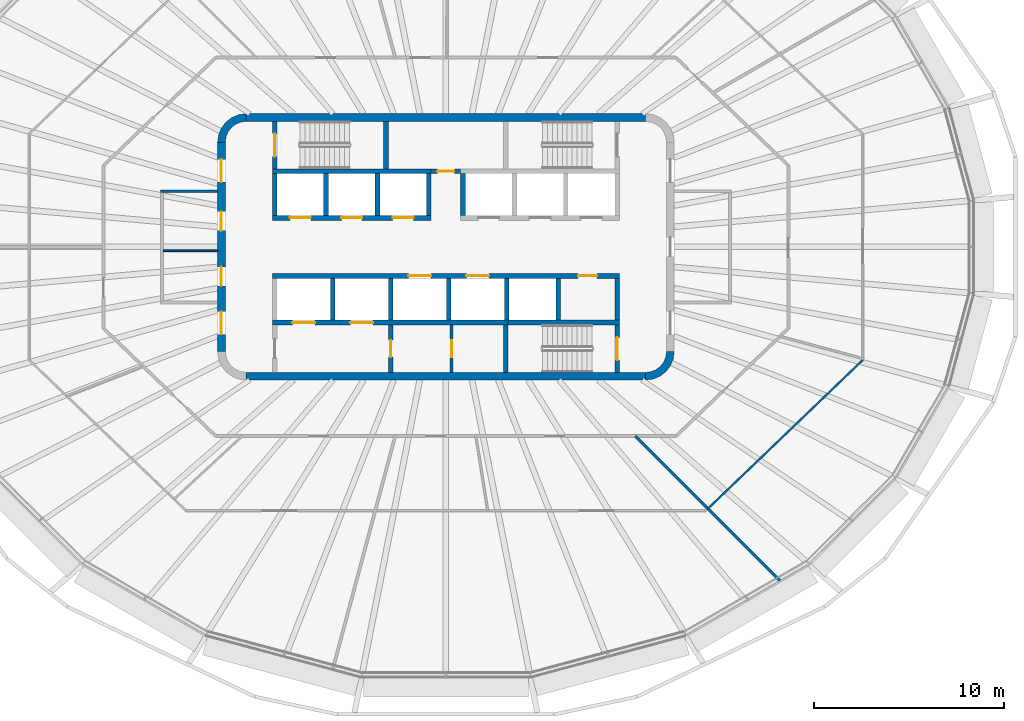
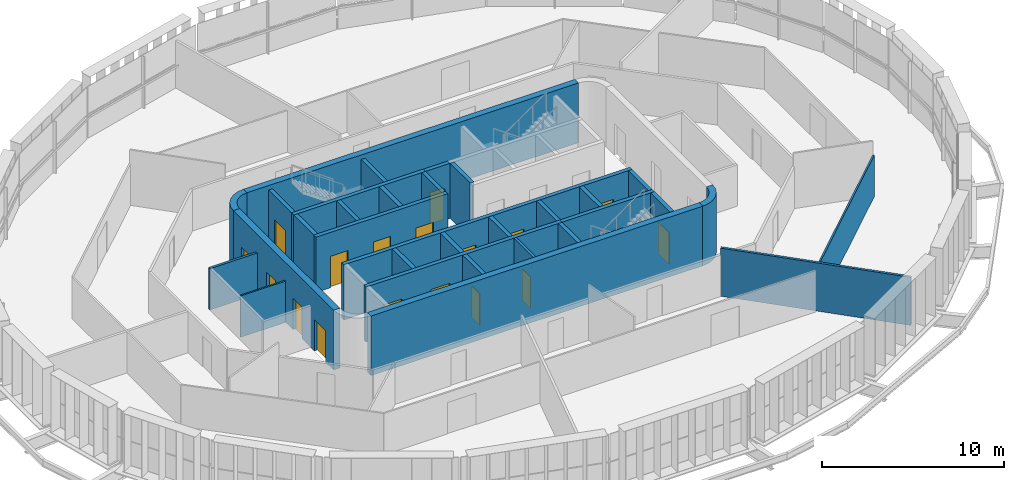
# One storey, part 10 of 18: 32 walls, 17 doors, 17 openings.
"""IFC4 building model written with IfcOpenShell, lengths in metres."""

import ifcopenshell
import ifcopenshell.guid

model = None  # the IFC model being written
_history = None  # IfcOwnerHistory: only IFC2X3 demands one
_inside = {}  # id of a spatial element -> (the spatial element, [elements in it])
_under = {}  # id of a project, library or spatial element -> (it, [spatial elements below it])
_declared = {}  # id of a project -> (the project, [libraries it declares])
_typed = {}  # id of a type object -> (the type object, [elements of that type])
_made_of = {}  # id of a material, layer set ... -> (it, [elements and type objects made of it])


def new_model(schema):
    """Start an empty IFC model of exactly this schema.

    Asked for "IFC4X3", IfcOpenShell would pick the latest addendum, in which some entities
    have other attributes; the version numbers below select the first issue.
    IFC2X3 requires an IfcOwnerHistory on every rooted entity: one is made here for all.
    """
    global model, _history
    if schema == "IFC4X3":
        model = ifcopenshell.file(schema_version=(4, 3, 0, 0))
    else:
        model = ifcopenshell.file(schema=schema)
    _inside.clear()
    _under.clear()
    _declared.clear()
    _typed.clear()
    _made_of.clear()
    _history = None
    if model.schema == "IFC2X3":
        org = make("IfcOrganization", Name="unknown")
        user = make(
            "IfcPersonAndOrganization",
            ThePerson=make("IfcPerson", FamilyName="unknown"),
            TheOrganization=org,
        )
        app = make(
            "IfcApplication",
            ApplicationDeveloper=org,
            Version="unknown",
            ApplicationFullName="unknown",
            ApplicationIdentifier="unknown",
        )
        _history = make(
            "IfcOwnerHistory",
            OwningUser=user,
            OwningApplication=app,
            ChangeAction="ADDED",
            CreationDate=0,
        )
    return model


def make(cls, **values):
    """One entity of the class cls with the attributes given. An attribute that is None is left unset."""
    return model.create_entity(
        cls, **{name: value for name, value in values.items() if value is not None}
    )


def rooted(cls, **values):
    """An entity with a GlobalId (a new one), such as an element, a storey or a relation."""
    return make(cls, GlobalId=ifcopenshell.guid.new(), OwnerHistory=_history, **values)


def si_unit(unit_type, name, prefix=None):
    """IfcSIUnit, for example si_unit("LENGTHUNIT", "METRE", prefix="MILLI")."""
    return make("IfcSIUnit", UnitType=unit_type, Prefix=prefix, Name=name)


def assignment(units):
    """IfcUnitAssignment: the units of a project."""
    return None if units is None else make("IfcUnitAssignment", Units=units)


def point(xyz):
    """IfcCartesianPoint."""
    return None if xyz is None else make("IfcCartesianPoint", Coordinates=xyz)


def direction(xyz):
    """IfcDirection."""
    return None if xyz is None else make("IfcDirection", DirectionRatios=xyz)


def frame(location, z_axis=None, x_axis=None):
    """IfcAxis2Placement3D, a coordinate frame: its origin and axes. An axis left out is left unset."""
    return make(
        "IfcAxis2Placement3D",
        Location=point(location),
        Axis=direction(z_axis),
        RefDirection=direction(x_axis),
    )


def frame_2d(location, x_axis=None):
    """IfcAxis2Placement2D, a coordinate frame in the plane: its origin and x axis."""
    return make(
        "IfcAxis2Placement2D", Location=point(location), RefDirection=direction(x_axis)
    )


def origin():
    """The frame at (0, 0, 0) with its axes left unset."""
    return frame((0.0, 0.0, 0.0))


def place(relative_to, where):
    """IfcLocalPlacement: puts the frame where relative to a parent placement (None: the world)."""
    return make(
        "IfcLocalPlacement", PlacementRelTo=relative_to, RelativePlacement=where
    )


def context(
    kind, dimensions, precision=None, world=None, true_north=None, identifier=None
):
    """IfcGeometricRepresentationContext, for example the 3D "Model" context."""
    return make(
        "IfcGeometricRepresentationContext",
        ContextIdentifier=identifier,
        ContextType=kind,
        CoordinateSpaceDimension=dimensions,
        Precision=precision,
        WorldCoordinateSystem=world,
        TrueNorth=true_north,
    )


def subcontext(parent, identifier, kind, view, scale=None):
    """IfcGeometricRepresentationSubContext, for example "Body" below "Model"."""
    return make(
        "IfcGeometricRepresentationSubContext",
        ContextIdentifier=identifier,
        ContextType=kind,
        ParentContext=parent,
        TargetScale=scale,
        TargetView=view,
    )


def project(units=None, contexts=None):
    """IfcProject with its units and contexts."""
    return rooted(
        "IfcProject",
        Name="project",
        RepresentationContexts=contexts,
        UnitsInContext=assignment(units),
    )


def spatial(cls, under=None, at=None, **own):
    """A site, building, storey or space (cls), placed at a placement, below another one or the project."""
    s = rooted(cls, ObjectPlacement=at, **own)
    if under is not None:
        _under.setdefault(under.id(), (under, []))[1].append(s)
    return s


def polyline(points):
    """IfcPolyline through the points."""
    return make("IfcPolyline", Points=[point(p) for p in points])


def profile(cls, at=None, kind="AREA", **sizes):
    """A parametric profile (cls). Its sizes go by their IFC names, for example OverallWidth=200.0."""
    return make(cls, ProfileType=kind, Position=at, **sizes)


def rectangle(**sizes):
    """IfcRectangleProfileDef."""
    return profile("IfcRectangleProfileDef", **sizes)


def outline(outer, holes=None, kind="AREA"):
    """IfcArbitraryClosedProfileDef: a profile drawn as a closed curve; with holes, ...WithVoids."""
    if holes is None:
        return make("IfcArbitraryClosedProfileDef", ProfileType=kind, OuterCurve=outer)
    return make(
        "IfcArbitraryProfileDefWithVoids",
        ProfileType=kind,
        OuterCurve=outer,
        InnerCurves=holes,
    )


def extrude(swept, where, along, depth):
    """IfcExtrudedAreaSolid: the profile swept, set in the frame where, extruded along a direction by depth."""
    return make(
        "IfcExtrudedAreaSolid",
        SweptArea=swept,
        Position=where,
        ExtrudedDirection=direction(along),
        Depth=depth,
    )


def shape(context_of_items, identifier, shape_type, items):
    """IfcShapeRepresentation: the items that make up one representation, for example the "Body"."""
    return make(
        "IfcShapeRepresentation",
        ContextOfItems=context_of_items,
        RepresentationIdentifier=identifier,
        RepresentationType=shape_type,
        Items=items,
    )


def material(Name=None, Category=None):
    """IfcMaterial."""
    return make("IfcMaterial", Name=Name, Category=Category)


def layer(
    of_material, thickness, ventilated=None, Name=None, Category=None, Priority=None
):
    """IfcMaterialLayer: one layer of a wall or slab, of a material (None: an air gap)."""
    return make(
        "IfcMaterialLayer",
        Material=of_material,
        LayerThickness=thickness,
        IsVentilated=ventilated,
        Name=Name,
        Category=Category,
        Priority=Priority,
    )


def layer_set(layers, Name=None):
    """IfcMaterialLayerSet."""
    return make("IfcMaterialLayerSet", MaterialLayers=layers, LayerSetName=Name)


def made_of(thing, what):
    """Note that an element or type object is made of a material, layer set ...; save() writes the relation."""
    if what is not None:
        _made_of.setdefault(what.id(), (what, []))[1].append(thing)
    return thing


def type_object(cls, material=None, **own):
    """A type object (cls), such as IfcWallType, which elements share."""
    return made_of(rooted(cls, **own), material)


def element(
    cls,
    number,
    at=None,
    inside=None,
    cuts=None,
    type_object=None,
    material=None,
    context=None,
    identifier="Body",
    shape_type=None,
    held_by="IfcProductDefinitionShape",
    body=None,
    shapes=None,
    **own,
):
    """One element of the class cls, such as IfcWall. Its Tag is "e" and its number.

    at: its placement. inside: the storey or other place that contains it. cuts: it is an
    opening in that element (IfcRelVoidsElement). A single representation is given by context,
    identifier, shape_type and body (its items); several are given by shapes. held_by: the class
    of the entity that holds the representations. save() writes the other relations.
    """
    e = rooted(cls, Tag="e%d" % number, ObjectPlacement=at, **own)
    if body is not None:
        shapes = [shape(context, identifier, shape_type, body)]
    if shapes is not None:
        e.Representation = make(held_by, Representations=shapes)
    if inside is not None:
        _inside.setdefault(inside.id(), (inside, []))[1].append(e)
    if cuts is not None:
        rooted(
            "IfcRelVoidsElement", RelatingBuildingElement=cuts, RelatedOpeningElement=e
        )
    if type_object is not None:
        _typed.setdefault(type_object.id(), (type_object, []))[1].append(e)
    return made_of(e, material)


def fill(opening, filler):
    """IfcRelFillsElement: the door or window that sits in an opening."""
    return rooted(
        "IfcRelFillsElement",
        RelatingOpeningElement=opening,
        RelatedBuildingElement=filler,
    )


def aggregate(whole, parts):
    """IfcRelAggregates: a whole, such as a stair, and the parts it consists of."""
    return rooted("IfcRelAggregates", RelatingObject=whole, RelatedObjects=parts)


def save(model, path):
    """Write the relations noted so far, then the file.

    IfcRelAggregates (storeys below a building ...), IfcRelContainedInSpatialStructure (elements
    in a storey), IfcRelDefinesByType, IfcRelAssociatesMaterial and IfcRelDeclares: one each for
    every whole, place, type object, material and project.
    """
    for whole, parts in _under.values():
        aggregate(whole, parts)
    for where, things in _inside.values():
        rooted(
            "IfcRelContainedInSpatialStructure",
            RelatedElements=things,
            RelatingStructure=where,
        )
    for kind, things in _typed.values():
        rooted("IfcRelDefinesByType", RelatedObjects=things, RelatingType=kind)
    for what, things in _made_of.values():
        rooted("IfcRelAssociatesMaterial", RelatedObjects=things, RelatingMaterial=what)
    for by, libraries in _declared.values():
        rooted("IfcRelDeclares", RelatingContext=by, RelatedDefinitions=libraries)
    model.write(path)


model = new_model("IFC4")

# Units and contexts
model_context = context("Model", 3, precision=1e-05, world=origin(), true_north=direction((0.0, 1.0)))
body_context = subcontext(model_context, "Body", "Model", "MODEL_VIEW")
ifc_project = project(units=[si_unit("LENGTHUNIT", "METRE"), si_unit("AREAUNIT", "SQUARE_METRE"), si_unit("VOLUMEUNIT", "CUBIC_METRE"), si_unit("PLANEANGLEUNIT", "RADIAN"), si_unit("MASSUNIT", "GRAM", prefix="KILO")], contexts=[model_context])

# Site, building, storey
site_placement = place(None, origin())
site = spatial("IfcSite", under=ifc_project, at=site_placement, CompositionType="ELEMENT")
building_placement = place(site_placement, origin())
building = spatial("IfcBuilding", under=site, at=building_placement, Name="Sahrelin Media Tower", CompositionType="ELEMENT")
storey_placement = place(building_placement, frame((0.0, 0.0, 295.0)))
storey = spatial("IfcBuildingStorey", under=building, at=storey_placement, Name="L65", CompositionType="ELEMENT", Elevation=295.0)

# Walls
ifc_material_1 = material(Name="Concrete C60/75", Category="concrete")
ifc_layer_1 = layer(ifc_material_1, 0.39990234375)
ifc_layer_set_1 = layer_set([ifc_layer_1], Name="Core wall 400")
wall_type_1 = type_object("IfcWallType", Name="Core wall 400", PredefinedType="SHEAR", material=ifc_layer_set_1)
for number, where, z_axis, x_axis, name in (
    (1, (-10.5, 6.800048828125, 0.0), (0.0, 0.0, 1.0), (1.0, 0.0, 0.0), "Core wall N L65"),
    (2, (-10.5, -6.800048828125, 0.0), (0.0, 0.0, 1.0), (1.0, 0.0, 0.0), "Core wall S L65"),
):
    element("IfcWall", number, at=place(storey_placement, frame(where, z_axis=z_axis, x_axis=x_axis)), inside=storey, type_object=wall_type_1, Name=name, PredefinedType="SHEAR", context=body_context, shape_type="SweptSolid", body=[
        extrude(rectangle(XDim=21.0, YDim=0.39990234375, at=frame_2d((10.5, 0.0))), origin(), (0.0, 0.0, 1.0), 4.0),
    ])

# Wall, openings, doors
wall_1_placement = place(storey_placement, frame((-11.800048828125, -5.5, 0.0), z_axis=(0.0, 0.0, 1.0), x_axis=(0.0, 1.0, 0.0)))
wall_1 = element("IfcWall", 3, at=wall_1_placement, inside=storey, type_object=wall_type_1, Name="Core wall W L65", PredefinedType="SHEAR", context=body_context, shape_type="SweptSolid", body=[
    extrude(rectangle(XDim=11.0, YDim=0.39990234375, at=frame_2d((5.5, 0.0))), origin(), (0.0, 0.0, 1.0), 4.0),
])
opening_1_placement = place(wall_1_placement, frame((3.449951171875, 0.0, 0.0)))
opening_1 = element("IfcOpeningElement", 4, at=opening_1_placement, cuts=wall_1, Name="Opening L65-D09", PredefinedType="OPENING", context=body_context, shape_type="SweptSolid", body=[
    extrude(rectangle(XDim=1.0, YDim=2.10009765625, at=frame_2d((0.5, 1.050048828125))), frame((0.0, 0.199951171875, 0.0), z_axis=(0.0, -1.0, 0.0), x_axis=(1.0, 0.0, 0.0)), (0.0, 0.0, 1.0), 0.39990234375),
])
opening_2_placement = place(wall_1_placement, frame((6.35009765625, 0.0, 0.0)))
opening_2 = element("IfcOpeningElement", 5, at=opening_2_placement, cuts=wall_1, Name="Opening L65-D10", PredefinedType="OPENING", context=body_context, shape_type="SweptSolid", body=[
    extrude(rectangle(XDim=1.0, YDim=2.10009765625, at=frame_2d((0.5, 1.050048828125))), frame((0.0, 0.199951171875, 0.0), z_axis=(0.0, -1.0, 0.0), x_axis=(1.0, 0.0, 0.0)), (0.0, 0.0, 1.0), 0.39990234375),
])
opening_3_placement = place(wall_1_placement, frame((0.89990234375, 0.0, 0.0)))
opening_3 = element("IfcOpeningElement", 6, at=opening_3_placement, cuts=wall_1, Name="Opening L65-D12", PredefinedType="OPENING", context=body_context, shape_type="SweptSolid", body=[
    extrude(rectangle(XDim=1.199951171875, YDim=2.10009765625, at=frame_2d((0.60009765625, 1.050048828125))), frame((0.0, 0.199951171875, 0.0), z_axis=(0.0, -1.0, 0.0), x_axis=(1.0, 0.0, 0.0)), (0.0, 0.0, 1.0), 0.39990234375),
])
opening_4_placement = place(wall_1_placement, frame((8.89990234375, 0.0, 0.0)))
opening_4 = element("IfcOpeningElement", 7, at=opening_4_placement, cuts=wall_1, Name="Opening L65-D13", PredefinedType="OPENING", context=body_context, shape_type="SweptSolid", body=[
    extrude(rectangle(XDim=1.199951171875, YDim=2.10009765625, at=frame_2d((0.60009765625, 1.050048828125))), frame((0.0, 0.199951171875, 0.0), z_axis=(0.0, -1.0, 0.0), x_axis=(1.0, 0.0, 0.0)), (0.0, 0.0, 1.0), 0.39990234375),
])
ifc_material_2 = material(Name="Steel fire door leaf", Category="steel")
door_type_1 = type_object("IfcDoorType", Name="Fire door 1000 x 2100 EI 60", OperationType="NOTDEFINED", PredefinedType="DOOR", material=ifc_material_2)
door_1_placement = place(opening_1_placement, origin())
door_1 = element("IfcDoor", 8, at=door_1_placement, inside=storey, type_object=door_type_1, Name="Core room door", OperationType="SINGLE_SWING_RIGHT", OverallHeight=2.10009765625, OverallWidth=1.0, PredefinedType="DOOR", context=body_context, shape_type="SweptSolid", body=[
    extrude(rectangle(XDim=1.0, YDim=2.10009765625, at=frame_2d((0.5, 1.050048828125))), frame((0.0, 0.02490234375, 0.0), z_axis=(0.0, -1.0, 0.0), x_axis=(1.0, 0.0, 0.0)), (0.0, 0.0, 1.0), 0.050048828125),
])
fill(opening_1, door_1)
door_2_placement = place(opening_2_placement, origin())
door_2 = element("IfcDoor", 9, at=door_2_placement, inside=storey, type_object=door_type_1, Name="Core room door", OperationType="SINGLE_SWING_RIGHT", OverallHeight=2.10009765625, OverallWidth=1.0, PredefinedType="DOOR", context=body_context, shape_type="SweptSolid", body=[
    extrude(rectangle(XDim=1.0, YDim=2.10009765625, at=frame_2d((0.5, 1.050048828125))), frame((0.0, 0.02490234375, 0.0), z_axis=(0.0, -1.0, 0.0), x_axis=(1.0, 0.0, 0.0)), (0.0, 0.0, 1.0), 0.050048828125),
])
fill(opening_2, door_2)
door_type_2 = type_object("IfcDoorType", Name="Lobby door 1200 x 2100 EI 60", OperationType="NOTDEFINED", PredefinedType="DOOR", material=ifc_material_2)
door_3_placement = place(opening_3_placement, origin())
door_3 = element("IfcDoor", 10, at=door_3_placement, inside=storey, type_object=door_type_2, Name="Lobby door", OperationType="SINGLE_SWING_LEFT", OverallHeight=2.10009765625, OverallWidth=1.199951171875, PredefinedType="DOOR", context=body_context, shape_type="SweptSolid", body=[
    extrude(rectangle(XDim=1.199951171875, YDim=2.10009765625, at=frame_2d((0.60009765625, 1.050048828125))), frame((0.0, 0.02490234375, 0.0), z_axis=(0.0, -1.0, 0.0), x_axis=(1.0, 0.0, 0.0)), (0.0, 0.0, 1.0), 0.050048828125),
])
fill(opening_3, door_3)
door_4_placement = place(opening_4_placement, origin())
door_4 = element("IfcDoor", 11, at=door_4_placement, inside=storey, type_object=door_type_2, Name="Lobby door", OperationType="SINGLE_SWING_LEFT", OverallHeight=2.10009765625, OverallWidth=1.199951171875, PredefinedType="DOOR", context=body_context, shape_type="SweptSolid", body=[
    extrude(rectangle(XDim=1.199951171875, YDim=2.10009765625, at=frame_2d((0.60009765625, 1.050048828125))), frame((0.0, 0.02490234375, 0.0), z_axis=(0.0, -1.0, 0.0), x_axis=(1.0, 0.0, 0.0)), (0.0, 0.0, 1.0), 0.050048828125),
])
fill(opening_4, door_4)

# Walls
placement = place(storey_placement, origin())
element("IfcWall", 12, at=placement, inside=storey, type_object=wall_type_1, Name="Core wall corner NW L65", PredefinedType="SHEAR", context=body_context, shape_type="SweptSolid", body=[
    extrude(outline(polyline([(-12.0, 5.5), (-11.596435546875, 5.5), (-11.55908203125, 5.78369140625), (-11.44970703125, 6.04833984375), (-11.275390625, 6.275390625), (-11.04833984375, 6.44970703125), (-10.78369140625, 6.55908203125), (-10.5, 6.596435546875), (-10.5, 7.0), (-10.88818359375, 6.948974609375), (-11.25, 6.799072265625), (-11.560791015625, 6.560791015625), (-11.799072265625, 6.25), (-11.948974609375, 5.88818359375), (-12.0, 5.5)])), origin(), (0.0, 0.0, 1.0), 4.0),
])
element("IfcWall", 13, at=placement, inside=storey, type_object=wall_type_1, Name="Core wall corner SE L65", PredefinedType="SHEAR", context=body_context, shape_type="SweptSolid", body=[
    extrude(outline(polyline([(12.0, -5.5), (11.596435546875, -5.5), (11.55908203125, -5.78369140625), (11.44970703125, -6.04833984375), (11.275390625, -6.275390625), (11.04833984375, -6.44970703125), (10.78369140625, -6.55908203125), (10.5, -6.596435546875), (10.5, -7.0), (10.88818359375, -6.948974609375), (11.25, -6.799072265625), (11.560791015625, -6.560791015625), (11.799072265625, -6.25), (11.948974609375, -5.88818359375), (12.0, -5.5)])), origin(), (0.0, 0.0, 1.0), 4.0),
])

# Wall, opening, door
ifc_material_3 = material(Name="Fire-rated gypsum board partition")
ifc_layer_2 = layer(ifc_material_3, 0.25)
ifc_layer_set_2 = layer_set([ifc_layer_2], Name="Fire-rated lobby wall 250")
wall_type_2 = type_object("IfcWallType", Name="Fire-rated lobby wall 250", PredefinedType="PARTITIONING", material=ifc_layer_set_2)
wall_4_placement = place(storey_placement, frame((-0.77490234375, 3.97509765625, 0.0), z_axis=(0.0, 0.0, 1.0), x_axis=(1.0, 0.0, 0.0)))
wall_4 = element("IfcWall", 14, at=wall_4_placement, inside=storey, type_object=wall_type_2, Name="Core lobby wall", PredefinedType="PARTITIONING", context=body_context, shape_type="SweptSolid", body=[
    extrude(rectangle(XDim=1.5498046875, YDim=0.25, at=frame_2d((0.77490234375, 0.0))), origin(), (0.0, 0.0, 1.0), 3.699951171875),
])
opening_5_placement = place(wall_4_placement, frame((0.324951171875, 0.0, 0.0)))
opening_5 = element("IfcOpeningElement", 15, at=opening_5_placement, cuts=wall_4, Name="Opening L65-D06", PredefinedType="OPENING", context=body_context, shape_type="SweptSolid", body=[
    extrude(rectangle(XDim=0.89990234375, YDim=2.10009765625, at=frame_2d((0.449951171875, 1.050048828125))), frame((0.0, 0.125, 0.0), z_axis=(0.0, -1.0, 0.0), x_axis=(1.0, 0.0, 0.0)), (0.0, 0.0, 1.0), 0.25),
])
door_type_3 = type_object("IfcDoorType", Name="Riser door 900 x 2100 EI 120", OperationType="NOTDEFINED", PredefinedType="DOOR", material=ifc_material_2)
door_5_placement = place(opening_5_placement, origin())
door_5 = element("IfcDoor", 16, at=door_5_placement, inside=storey, type_object=door_type_3, Name="Core room door", OperationType="SINGLE_SWING_LEFT", OverallHeight=2.10009765625, OverallWidth=0.89990234375, PredefinedType="DOOR", context=body_context, shape_type="SweptSolid", body=[
    extrude(rectangle(XDim=0.89990234375, YDim=2.10009765625, at=frame_2d((0.449951171875, 1.050048828125))), frame((0.0, 0.02490234375, 0.0), z_axis=(0.0, -1.0, 0.0), x_axis=(1.0, 0.0, 0.0)), (0.0, 0.0, 1.0), 0.050048828125),
])
fill(opening_5, door_5)

# Wall
ifc_layer_3 = layer(ifc_material_3, 0.10009765625)
ifc_layer_set_3 = layer_set([ifc_layer_3], Name="Fire-rated partition 100")
wall_type_3 = type_object("IfcWallType", Name="Fire-rated partition 100", PredefinedType="PARTITIONING", material=ifc_layer_set_3)
wall_5_placement = place(storey_placement, frame((-14.85009765625, -0.199951171875, 0.0), z_axis=(0.0, 0.0, 1.0), x_axis=(1.0, 0.0, 0.0)))
element("IfcWall", 17, at=wall_5_placement, inside=storey, type_object=wall_type_3, Name="Core room partition", PredefinedType="PARTITIONING", context=body_context, shape_type="SweptSolid", body=[
    extrude(rectangle(XDim=2.85009765625, YDim=0.10009765625, at=frame_2d((1.425048828125, 0.0))), origin(), (0.0, 0.0, 1.0), 2.768310546875),
])

# Wall, opening, door
ifc_layer_4 = layer(ifc_material_3, 0.14990234375)
ifc_layer_set_4 = layer_set([ifc_layer_4], Name="Fire-rated partition 150")
wall_type_4 = type_object("IfcWallType", Name="Fire-rated partition 150", PredefinedType="PARTITIONING", material=ifc_layer_set_4)
wall_6_placement = place(storey_placement, frame((0.300048828125, -6.60009765625, 0.0), z_axis=(0.0, 0.0, 1.0), x_axis=(0.0, 1.0, 0.0)))
wall_6 = element("IfcWall", 18, at=wall_6_placement, inside=storey, type_object=wall_type_4, Name="Core room fire partition", PredefinedType="PARTITIONING", context=body_context, shape_type="SweptSolid", body=[
    extrude(rectangle(XDim=2.5, YDim=0.14990234375, at=frame_2d((1.25, 0.0))), origin(), (0.0, 0.0, 1.0), 3.699951171875),
])
opening_6_placement = place(wall_6_placement, frame((0.800048828125, 0.0, 0.0)))
opening_6 = element("IfcOpeningElement", 19, at=opening_6_placement, cuts=wall_6, Name="Opening L65-D07", PredefinedType="OPENING", context=body_context, shape_type="SweptSolid", body=[
    extrude(rectangle(XDim=0.89990234375, YDim=2.10009765625, at=frame_2d((0.449951171875, 1.050048828125))), frame((0.0, 0.074951171875, 0.0), z_axis=(0.0, -1.0, 0.0), x_axis=(1.0, 0.0, 0.0)), (0.0, 0.0, 1.0), 0.14990234375),
])
door_type_4 = type_object("IfcDoorType", Name="Fire door 900 x 2100 EI 60", OperationType="NOTDEFINED", PredefinedType="DOOR", material=ifc_material_2)
door_6_placement = place(opening_6_placement, origin())
door_6 = element("IfcDoor", 20, at=door_6_placement, inside=storey, type_object=door_type_4, Name="Core room door", OperationType="SINGLE_SWING_RIGHT", OverallHeight=2.10009765625, OverallWidth=0.89990234375, PredefinedType="DOOR", context=body_context, shape_type="SweptSolid", body=[
    extrude(rectangle(XDim=0.89990234375, YDim=2.10009765625, at=frame_2d((0.449951171875, 1.050048828125))), frame((0.0, 0.02490234375, 0.0), z_axis=(0.0, -1.0, 0.0), x_axis=(1.0, 0.0, 0.0)), (0.0, 0.0, 1.0), 0.050048828125),
])
fill(opening_6, door_6)

# Walls
wall_7_placement = place(storey_placement, frame((-15.0, 2.925048828125, 0.0), z_axis=(0.0, 0.0, 1.0), x_axis=(1.0, 0.0, 0.0)))
element("IfcWall", 21, at=wall_7_placement, inside=storey, type_object=wall_type_4, Name="Core room fire partition", PredefinedType="PARTITIONING", context=body_context, shape_type="SweptSolid", body=[
    extrude(rectangle(XDim=3.0, YDim=0.14990234375, at=frame_2d((1.5, 0.0))), origin(), (0.0, 0.0, 1.0), 2.768310546875),
])
wall_8_placement = place(storey_placement, frame((9.948974609375, -9.948974609375, 0.0), z_axis=(0.0, 0.0, 1.0), x_axis=(0.707106781187, -0.707106781187, 0.0)))
element("IfcWall", 22, at=wall_8_placement, inside=storey, type_object=wall_type_4, Name="Wall", PredefinedType="PARTITIONING", context=body_context, shape_type="SweptSolid", body=[
    extrude(rectangle(XDim=10.796142578125, YDim=0.14990234375, at=frame_2d((5.39794921875, 0.0))), origin(), (0.0, 0.0, 1.0), 3.222900390625),
])

# Wall, opening, door
ifc_layer_5 = layer(ifc_material_3, 0.25)
ifc_layer_set_5 = layer_set([ifc_layer_5], Name="Firefighting lobby wall 250")
wall_type_5 = type_object("IfcWallType", Name="Firefighting lobby wall 250", PredefinedType="PARTITIONING", material=ifc_layer_set_5)
wall_9_placement = place(storey_placement, frame((-2.89990234375, -6.60009765625, 0.0), z_axis=(0.0, 0.0, 1.0), x_axis=(0.0, 1.0, 0.0)))
wall_9 = element("IfcWall", 23, at=wall_9_placement, inside=storey, type_object=wall_type_5, Name="Core wall", PredefinedType="PARTITIONING", context=body_context, shape_type="SweptSolid", body=[
    extrude(rectangle(XDim=2.5, YDim=0.25, at=frame_2d((1.25, 0.0))), origin(), (0.0, 0.0, 1.0), 3.699951171875),
])
opening_7_placement = place(wall_9_placement, frame((0.800048828125, 0.0, 0.0)))
opening_7 = element("IfcOpeningElement", 24, at=opening_7_placement, cuts=wall_9, Name="Opening L65-D05", PredefinedType="OPENING", context=body_context, shape_type="SweptSolid", body=[
    extrude(rectangle(XDim=0.89990234375, YDim=2.10009765625, at=frame_2d((0.449951171875, 1.050048828125))), frame((0.0, 0.125, 0.0), z_axis=(0.0, -1.0, 0.0), x_axis=(1.0, 0.0, 0.0)), (0.0, 0.0, 1.0), 0.25),
])
door_type_5 = type_object("IfcDoorType", Name="Firefighting lobby door 900 x 2100 EI 120", OperationType="NOTDEFINED", PredefinedType="DOOR", material=ifc_material_2)
door_7_placement = place(opening_7_placement, origin())
door_7 = element("IfcDoor", 25, at=door_7_placement, inside=storey, type_object=door_type_5, Name="Riser door", OperationType="SINGLE_SWING_RIGHT", OverallHeight=2.10009765625, OverallWidth=0.89990234375, PredefinedType="DOOR", context=body_context, shape_type="SweptSolid", body=[
    extrude(rectangle(XDim=0.89990234375, YDim=2.10009765625, at=frame_2d((0.449951171875, 1.050048828125))), frame((0.0, 0.02490234375, 0.0), z_axis=(0.0, -1.0, 0.0), x_axis=(1.0, 0.0, 0.0)), (0.0, 0.0, 1.0), 0.050048828125),
])
fill(opening_7, door_7)

# Wall, openings, doors
ifc_layer_6 = layer(ifc_material_1, 0.25)
ifc_layer_set_6 = layer_set([ifc_layer_6], Name="Lift shaft wall 250")
wall_type_6 = type_object("IfcWallType", Name="Lift shaft wall 250", PredefinedType="SOLIDWALL", material=ifc_layer_set_6)
wall_10_placement = place(storey_placement, frame((-9.125, 1.52490234375, 0.0), z_axis=(0.0, 0.0, 1.0), x_axis=(1.0, 0.0, 0.0)))
wall_10 = element("IfcWall", 26, at=wall_10_placement, inside=storey, type_object=wall_type_6, Name="Lift shaft wall", PredefinedType="SOLIDWALL", context=body_context, shape_type="SweptSolid", body=[
    extrude(rectangle(XDim=8.35009765625, YDim=0.25, at=frame_2d((4.175048828125, 0.0))), origin(), (0.0, 0.0, 1.0), 3.699951171875),
])
opening_8_placement = place(wall_10_placement, frame((0.925048828125, 0.0, 0.0)))
opening_8 = element("IfcOpeningElement", 27, at=opening_8_placement, cuts=wall_10, Name="Opening L65-LD-HR1", PredefinedType="OPENING", context=body_context, shape_type="SweptSolid", body=[
    extrude(rectangle(XDim=1.10009765625, YDim=2.10009765625, at=frame_2d((0.550048828125, 1.050048828125))), frame((0.0, 0.125, 0.0), z_axis=(0.0, -1.0, 0.0), x_axis=(1.0, 0.0, 0.0)), (0.0, 0.0, 1.0), 0.25),
])
opening_9_placement = place(wall_10_placement, frame((3.625, 0.0, 0.0)))
opening_9 = element("IfcOpeningElement", 28, at=opening_9_placement, cuts=wall_10, Name="Opening L65-LD-HR2", PredefinedType="OPENING", context=body_context, shape_type="SweptSolid", body=[
    extrude(rectangle(XDim=1.10009765625, YDim=2.10009765625, at=frame_2d((0.550048828125, 1.050048828125))), frame((0.0, 0.125, 0.0), z_axis=(0.0, -1.0, 0.0), x_axis=(1.0, 0.0, 0.0)), (0.0, 0.0, 1.0), 0.25),
])
opening_10_placement = place(wall_10_placement, frame((6.324951171875, 0.0, 0.0)))
opening_10 = element("IfcOpeningElement", 29, at=opening_10_placement, cuts=wall_10, Name="Opening L65-LD-HR3", PredefinedType="OPENING", context=body_context, shape_type="SweptSolid", body=[
    extrude(rectangle(XDim=1.10009765625, YDim=2.10009765625, at=frame_2d((0.550048828125, 1.050048828125))), frame((0.0, 0.125, 0.0), z_axis=(0.0, -1.0, 0.0), x_axis=(1.0, 0.0, 0.0)), (0.0, 0.0, 1.0), 0.25),
])
ifc_material_4 = material(Name="Stainless steel", Category="steel")
door_type_6 = type_object("IfcDoorType", Name="Lift landing door 1100 x 2100 EI 120", OperationType="DOUBLE_DOOR_SLIDING", PredefinedType="DOOR", material=ifc_material_4)
door_8_placement = place(opening_8_placement, origin())
door_8 = element("IfcDoor", 30, at=door_8_placement, inside=storey, type_object=door_type_6, Name="Lift landing door HR1", OperationType="DOUBLE_DOOR_SLIDING", OverallHeight=2.10009765625, OverallWidth=1.10009765625, PredefinedType="DOOR", context=body_context, shape_type="SweptSolid", body=[
    extrude(rectangle(XDim=1.10009765625, YDim=2.10009765625, at=frame_2d((0.550048828125, 1.050048828125))), frame((0.0, 0.02490234375, 0.0), z_axis=(0.0, -1.0, 0.0), x_axis=(1.0, 0.0, 0.0)), (0.0, 0.0, 1.0), 0.050048828125),
])
fill(opening_8, door_8)
door_9_placement = place(opening_9_placement, origin())
door_9 = element("IfcDoor", 31, at=door_9_placement, inside=storey, type_object=door_type_6, Name="Lift landing door HR2", OperationType="DOUBLE_DOOR_SLIDING", OverallHeight=2.10009765625, OverallWidth=1.10009765625, PredefinedType="DOOR", context=body_context, shape_type="SweptSolid", body=[
    extrude(rectangle(XDim=1.10009765625, YDim=2.10009765625, at=frame_2d((0.550048828125, 1.050048828125))), frame((0.0, 0.02490234375, 0.0), z_axis=(0.0, -1.0, 0.0), x_axis=(1.0, 0.0, 0.0)), (0.0, 0.0, 1.0), 0.050048828125),
])
fill(opening_9, door_9)
door_10_placement = place(opening_10_placement, origin())
door_10 = element("IfcDoor", 32, at=door_10_placement, inside=storey, type_object=door_type_6, Name="Lift landing door HR3", OperationType="DOUBLE_DOOR_SLIDING", OverallHeight=2.10009765625, OverallWidth=1.10009765625, PredefinedType="DOOR", context=body_context, shape_type="SweptSolid", body=[
    extrude(rectangle(XDim=1.10009765625, YDim=2.10009765625, at=frame_2d((0.550048828125, 1.050048828125))), frame((0.0, 0.02490234375, 0.0), z_axis=(0.0, -1.0, 0.0), x_axis=(1.0, 0.0, 0.0)), (0.0, 0.0, 1.0), 0.050048828125),
])
fill(opening_10, door_10)

# Walls
wall_11_placement = place(storey_placement, frame((-9.125, 3.97509765625, 0.0), z_axis=(0.0, 0.0, 1.0), x_axis=(1.0, 0.0, 0.0)))
element("IfcWall", 33, at=wall_11_placement, inside=storey, type_object=wall_type_6, Name="Lift shaft wall", PredefinedType="SOLIDWALL", context=body_context, shape_type="SweptSolid", body=[
    extrude(rectangle(XDim=8.35009765625, YDim=0.25, at=frame_2d((4.175048828125, 0.0))), origin(), (0.0, 0.0, 1.0), 3.699951171875),
])
for number, where, z_axis, x_axis, name in (
    (34, (-9.0, 1.64990234375, 0.0), (0.0, 0.0, 1.0), (0.0, 1.0, 0.0), "Lift shaft wall"),
    (35, (-6.300048828125, 1.64990234375, 0.0), (0.0, 0.0, 1.0), (0.0, 1.0, 0.0), "Lift shaft wall"),
    (36, (-3.60009765625, 1.64990234375, 0.0), (0.0, 0.0, 1.0), (0.0, 1.0, 0.0), "Lift shaft wall"),
    (37, (-0.89990234375, 1.64990234375, 0.0), (0.0, 0.0, 1.0), (0.0, 1.0, 0.0), "Lift shaft wall"),
    (38, (0.89990234375, 1.64990234375, 0.0), (0.0, 0.0, 1.0), (0.0, 1.0, 0.0), "Lift shaft wall"),
):
    element("IfcWall", number, at=place(storey_placement, frame(where, z_axis=z_axis, x_axis=x_axis)), inside=storey, type_object=wall_type_6, Name=name, PredefinedType="SOLIDWALL", context=body_context, shape_type="SweptSolid", body=[
        extrude(rectangle(XDim=2.2001953125, YDim=0.25, at=frame_2d((1.10009765625, 0.0))), origin(), (0.0, 0.0, 1.0), 3.699951171875),
    ])

# Wall, openings, doors
wall_12_placement = place(storey_placement, frame((-9.125, -1.52490234375, 0.0), z_axis=(0.0, 0.0, 1.0), x_axis=(1.0, 0.0, 0.0)))
wall_12 = element("IfcWall", 39, at=wall_12_placement, inside=storey, type_object=wall_type_6, Name="Lift shaft wall", PredefinedType="SOLIDWALL", context=body_context, shape_type="SweptSolid", body=[
    extrude(rectangle(XDim=18.25, YDim=0.25, at=frame_2d((9.125, 0.0))), origin(), (0.0, 0.0, 1.0), 3.699951171875),
])
opening_11_placement = place(wall_12_placement, frame((7.14990234375, 0.0, 0.0)))
opening_11 = element("IfcOpeningElement", 40, at=opening_11_placement, cuts=wall_12, Name="Opening L65-LD-SV1", PredefinedType="OPENING", context=body_context, shape_type="SweptSolid", body=[
    extrude(rectangle(XDim=1.199951171875, YDim=2.10009765625, at=frame_2d((0.60009765625, 1.050048828125))), frame((0.0, 0.125, 0.0), z_axis=(0.0, -1.0, 0.0), x_axis=(1.0, 0.0, 0.0)), (0.0, 0.0, 1.0), 0.25),
])
opening_12_placement = place(wall_12_placement, frame((10.199951171875, 0.0, 0.0)))
opening_12 = element("IfcOpeningElement", 41, at=opening_12_placement, cuts=wall_12, Name="Opening L65-LD-SV2", PredefinedType="OPENING", context=body_context, shape_type="SweptSolid", body=[
    extrude(rectangle(XDim=1.199951171875, YDim=2.10009765625, at=frame_2d((0.60009765625, 1.050048828125))), frame((0.0, 0.125, 0.0), z_axis=(0.0, -1.0, 0.0), x_axis=(1.0, 0.0, 0.0)), (0.0, 0.0, 1.0), 0.25),
])
opening_13_placement = place(wall_12_placement, frame((16.074951171875, 0.0, 0.0)))
opening_13 = element("IfcOpeningElement", 42, at=opening_13_placement, cuts=wall_12, Name="Opening L65-D08", PredefinedType="OPENING", context=body_context, shape_type="SweptSolid", body=[
    extrude(rectangle(XDim=1.0, YDim=2.10009765625, at=frame_2d((0.5, 1.050048828125))), frame((0.0, 0.125, 0.0), z_axis=(0.0, -1.0, 0.0), x_axis=(1.0, 0.0, 0.0)), (0.0, 0.0, 1.0), 0.25),
])
door_11_placement = place(opening_13_placement, origin())
door_11 = element("IfcDoor", 43, at=door_11_placement, inside=storey, type_object=door_type_1, Name="Core room door", OperationType="SINGLE_SWING_RIGHT", OverallHeight=2.10009765625, OverallWidth=1.0, PredefinedType="DOOR", context=body_context, shape_type="SweptSolid", body=[
    extrude(rectangle(XDim=1.0, YDim=2.10009765625, at=frame_2d((0.5, 1.050048828125))), frame((0.0, 0.02490234375, 0.0), z_axis=(0.0, -1.0, 0.0), x_axis=(1.0, 0.0, 0.0)), (0.0, 0.0, 1.0), 0.050048828125),
])
fill(opening_13, door_11)
door_type_7 = type_object("IfcDoorType", Name="Lift landing door 1200 x 2100 EI 120", OperationType="DOUBLE_DOOR_SLIDING", PredefinedType="DOOR", material=ifc_material_4)
door_12_placement = place(opening_11_placement, origin())
door_12 = element("IfcDoor", 44, at=door_12_placement, inside=storey, type_object=door_type_7, Name="Lift landing door SV1", OperationType="DOUBLE_DOOR_SLIDING", OverallHeight=2.10009765625, OverallWidth=1.199951171875, PredefinedType="DOOR", context=body_context, shape_type="SweptSolid", body=[
    extrude(rectangle(XDim=1.199951171875, YDim=2.10009765625, at=frame_2d((0.60009765625, 1.050048828125))), frame((0.0, 0.02490234375, 0.0), z_axis=(0.0, -1.0, 0.0), x_axis=(1.0, 0.0, 0.0)), (0.0, 0.0, 1.0), 0.050048828125),
])
fill(opening_11, door_12)
door_13_placement = place(opening_12_placement, origin())
door_13 = element("IfcDoor", 45, at=door_13_placement, inside=storey, type_object=door_type_7, Name="Lift landing door SV2", OperationType="DOUBLE_DOOR_SLIDING", OverallHeight=2.10009765625, OverallWidth=1.199951171875, PredefinedType="DOOR", context=body_context, shape_type="SweptSolid", body=[
    extrude(rectangle(XDim=1.199951171875, YDim=2.10009765625, at=frame_2d((0.60009765625, 1.050048828125))), frame((0.0, 0.02490234375, 0.0), z_axis=(0.0, -1.0, 0.0), x_axis=(1.0, 0.0, 0.0)), (0.0, 0.0, 1.0), 0.050048828125),
])
fill(opening_12, door_13)

wall_13_placement = place(storey_placement, frame((-9.125, -3.97509765625, 0.0), z_axis=(0.0, 0.0, 1.0), x_axis=(1.0, 0.0, 0.0)))
wall_13 = element("IfcWall", 46, at=wall_13_placement, inside=storey, type_object=wall_type_6, Name="Lift shaft wall", PredefinedType="SOLIDWALL", context=body_context, shape_type="SweptSolid", body=[
    extrude(rectangle(XDim=12.39990234375, YDim=0.25, at=frame_2d((6.199951171875, 0.0))), origin(), (0.0, 0.0, 1.0), 3.699951171875),
])
opening_14_placement = place(wall_13_placement, frame((1.050048828125, 0.0, 0.0)))
opening_14 = element("IfcOpeningElement", 47, at=opening_14_placement, cuts=wall_13, Name="Opening L65-LD-FF1", PredefinedType="OPENING", context=body_context, shape_type="SweptSolid", body=[
    extrude(rectangle(XDim=1.199951171875, YDim=2.10009765625, at=frame_2d((0.60009765625, 1.050048828125))), frame((0.0, 0.125, 0.0), z_axis=(0.0, -1.0, 0.0), x_axis=(1.0, 0.0, 0.0)), (0.0, 0.0, 1.0), 0.25),
])
opening_15_placement = place(wall_13_placement, frame((4.10009765625, 0.0, 0.0)))
opening_15 = element("IfcOpeningElement", 48, at=opening_15_placement, cuts=wall_13, Name="Opening L65-LD-FF2", PredefinedType="OPENING", context=body_context, shape_type="SweptSolid", body=[
    extrude(rectangle(XDim=1.199951171875, YDim=2.10009765625, at=frame_2d((0.60009765625, 1.050048828125))), frame((0.0, 0.125, 0.0), z_axis=(0.0, -1.0, 0.0), x_axis=(1.0, 0.0, 0.0)), (0.0, 0.0, 1.0), 0.25),
])
door_14_placement = place(opening_14_placement, origin())
door_14 = element("IfcDoor", 49, at=door_14_placement, inside=storey, type_object=door_type_7, Name="Lift landing door FF1", OperationType="DOUBLE_DOOR_SLIDING", OverallHeight=2.10009765625, OverallWidth=1.199951171875, PredefinedType="DOOR", context=body_context, shape_type="SweptSolid", body=[
    extrude(rectangle(XDim=1.199951171875, YDim=2.10009765625, at=frame_2d((0.60009765625, 1.050048828125))), frame((0.0, 0.02490234375, 0.0), z_axis=(0.0, -1.0, 0.0), x_axis=(1.0, 0.0, 0.0)), (0.0, 0.0, 1.0), 0.050048828125),
])
fill(opening_14, door_14)
door_15_placement = place(opening_15_placement, origin())
door_15 = element("IfcDoor", 50, at=door_15_placement, inside=storey, type_object=door_type_7, Name="Lift landing door FF2", OperationType="DOUBLE_DOOR_SLIDING", OverallHeight=2.10009765625, OverallWidth=1.199951171875, PredefinedType="DOOR", context=body_context, shape_type="SweptSolid", body=[
    extrude(rectangle(XDim=1.199951171875, YDim=2.10009765625, at=frame_2d((0.60009765625, 1.050048828125))), frame((0.0, 0.02490234375, 0.0), z_axis=(0.0, -1.0, 0.0), x_axis=(1.0, 0.0, 0.0)), (0.0, 0.0, 1.0), 0.050048828125),
])
fill(opening_15, door_15)

# Walls
wall_14_placement = place(storey_placement, frame((3.27490234375, -3.97509765625, 0.0), z_axis=(0.0, 0.0, 1.0), x_axis=(1.0, 0.0, 0.0)))
element("IfcWall", 51, at=wall_14_placement, inside=storey, type_object=wall_type_6, Name="Lift shaft wall", PredefinedType="SOLIDWALL", context=body_context, shape_type="SweptSolid", body=[
    extrude(rectangle(XDim=5.85009765625, YDim=0.25, at=frame_2d((2.925048828125, 0.0))), origin(), (0.0, 0.0, 1.0), 3.699951171875),
])
for number, where, z_axis, x_axis, name in (
    (52, (-5.949951171875, -3.85009765625, 0.0), (0.0, 0.0, 1.0), (0.0, 1.0, 0.0), "Lift shaft wall"),
    (53, (-2.89990234375, -3.85009765625, 0.0), (0.0, 0.0, 1.0), (0.0, 1.0, 0.0), "Lift shaft wall"),
    (54, (0.14990234375, -3.85009765625, 0.0), (0.0, 0.0, 1.0), (0.0, 1.0, 0.0), "Lift shaft wall"),
    (55, (3.199951171875, -3.85009765625, 0.0), (0.0, 0.0, 1.0), (0.0, 1.0, 0.0), "Lift shaft wall"),
    (56, (5.89990234375, -3.85009765625, 0.0), (0.0, 0.0, 1.0), (0.0, 1.0, 0.0), "Lift shaft wall"),
    (57, (9.0, -3.85009765625, 0.0), (0.0, 0.0, 1.0), (0.0, 1.0, 0.0), "Lift shaft wall"),
):
    element("IfcWall", number, at=place(storey_placement, frame(where, z_axis=z_axis, x_axis=x_axis)), inside=storey, type_object=wall_type_6, Name=name, PredefinedType="SOLIDWALL", context=body_context, shape_type="SweptSolid", body=[
        extrude(rectangle(XDim=2.2001953125, YDim=0.25, at=frame_2d((1.10009765625, 0.0))), origin(), (0.0, 0.0, 1.0), 3.699951171875),
    ])
ifc_material_5 = material(Name="Gypsum board partition")
ifc_layer_7 = layer(ifc_material_5, 0.10009765625)
ifc_layer_set_7 = layer_set([ifc_layer_7], Name="Partition 100")
wall_type_7 = type_object("IfcWallType", Name="Partition 100", PredefinedType="PARTITIONING", material=ifc_layer_set_7)
wall_15_placement = place(storey_placement, frame((13.764892578125, -13.764892578125, 0.0), z_axis=(0.0, 0.0, 1.0), x_axis=(0.721423180805, 0.692494472323, 0.0)))
element("IfcWall", 58, at=wall_15_placement, inside=storey, type_object=wall_type_7, Name="Wall", PredefinedType="PARTITIONING", context=body_context, shape_type="SweptSolid", body=[
    extrude(rectangle(XDim=11.2919921875, YDim=0.10009765625, at=frame_2d((5.64599609375, 0.0))), origin(), (0.0, 0.0, 1.0), 2.777099609375),
])

# Wall, opening, door
ifc_layer_8 = layer(ifc_material_1, 0.25)
ifc_layer_set_8 = layer_set([ifc_layer_8], Name="Stair enclosure wall 250")
wall_type_8 = type_object("IfcWallType", Name="Stair enclosure wall 250", PredefinedType="SOLIDWALL", material=ifc_layer_set_8)
wall_16_placement = place(storey_placement, frame((-9.0, 4.10009765625, 0.0), z_axis=(0.0, 0.0, 1.0), x_axis=(0.0, 1.0, 0.0)))
wall_16 = element("IfcWall", 59, at=wall_16_placement, inside=storey, type_object=wall_type_8, Name="Stair enclosure wall", PredefinedType="SOLIDWALL", context=body_context, shape_type="SweptSolid", body=[
    extrude(rectangle(XDim=2.5, YDim=0.25, at=frame_2d((1.25, 0.0))), origin(), (0.0, 0.0, 1.0), 3.699951171875),
])
opening_16_placement = place(wall_16_placement, frame((0.64990234375, 0.0, 0.0)))
opening_16 = element("IfcOpeningElement", 60, at=opening_16_placement, cuts=wall_16, Name="Opening L65-D01", PredefinedType="OPENING", context=body_context, shape_type="SweptSolid", body=[
    extrude(rectangle(XDim=1.199951171875, YDim=2.10009765625, at=frame_2d((0.60009765625, 1.050048828125))), frame((0.0, 0.125, 0.0), z_axis=(0.0, -1.0, 0.0), x_axis=(1.0, 0.0, 0.0)), (0.0, 0.0, 1.0), 0.25),
])
door_type_8 = type_object("IfcDoorType", Name="Stair door 1200 x 2100 EI 120", OperationType="NOTDEFINED", PredefinedType="DOOR", material=ifc_material_2)
door_16_placement = place(opening_16_placement, origin())
door_16 = element("IfcDoor", 61, at=door_16_placement, inside=storey, type_object=door_type_8, Name="Stair door ST1", OperationType="SINGLE_SWING_RIGHT", OverallHeight=2.10009765625, OverallWidth=1.199951171875, PredefinedType="DOOR", context=body_context, shape_type="SweptSolid", body=[
    extrude(rectangle(XDim=1.199951171875, YDim=2.10009765625, at=frame_2d((0.60009765625, 1.050048828125))), frame((0.0, 0.02490234375, 0.0), z_axis=(0.0, -1.0, 0.0), x_axis=(1.0, 0.0, 0.0)), (0.0, 0.0, 1.0), 0.050048828125),
])
fill(opening_16, door_16)

wall_17_placement = place(storey_placement, frame((9.0, -6.60009765625, 0.0), z_axis=(0.0, 0.0, 1.0), x_axis=(0.0, 1.0, 0.0)))
wall_17 = element("IfcWall", 62, at=wall_17_placement, inside=storey, type_object=wall_type_8, Name="Stair enclosure wall", PredefinedType="SOLIDWALL", context=body_context, shape_type="SweptSolid", body=[
    extrude(rectangle(XDim=2.5, YDim=0.25, at=frame_2d((1.25, 0.0))), origin(), (0.0, 0.0, 1.0), 3.699951171875),
])
opening_17_placement = place(wall_17_placement, frame((0.64990234375, 0.0, 0.0)))
opening_17 = element("IfcOpeningElement", 63, at=opening_17_placement, cuts=wall_17, Name="Opening L65-D03", PredefinedType="OPENING", context=body_context, shape_type="SweptSolid", body=[
    extrude(rectangle(XDim=1.199951171875, YDim=2.10009765625, at=frame_2d((0.60009765625, 1.050048828125))), frame((0.0, 0.125, 0.0), z_axis=(0.0, -1.0, 0.0), x_axis=(1.0, 0.0, 0.0)), (0.0, 0.0, 1.0), 0.25),
])
door_17_placement = place(opening_17_placement, origin())
door_17 = element("IfcDoor", 64, at=door_17_placement, inside=storey, type_object=door_type_8, Name="Stair door ST2", OperationType="SINGLE_SWING_LEFT", OverallHeight=2.10009765625, OverallWidth=1.199951171875, PredefinedType="DOOR", context=body_context, shape_type="SweptSolid", body=[
    extrude(rectangle(XDim=1.199951171875, YDim=2.10009765625, at=frame_2d((0.60009765625, 1.050048828125))), frame((0.0, 0.02490234375, 0.0), z_axis=(0.0, -1.0, 0.0), x_axis=(1.0, 0.0, 0.0)), (0.0, 0.0, 1.0), 0.050048828125),
])
fill(opening_17, door_17)

# Walls
for number, where, z_axis, x_axis, name in (
    (65, (-3.14990234375, 4.10009765625, 0.0), (0.0, 0.0, 1.0), (0.0, 1.0, 0.0), "Stair enclosure wall"),
    (66, (3.14990234375, -6.60009765625, 0.0), (0.0, 0.0, 1.0), (0.0, 1.0, 0.0), "Stair enclosure wall"),
):
    element("IfcWall", number, at=place(storey_placement, frame(where, z_axis=z_axis, x_axis=x_axis)), inside=storey, type_object=wall_type_8, Name=name, PredefinedType="SOLIDWALL", context=body_context, shape_type="SweptSolid", body=[
        extrude(rectangle(XDim=2.5, YDim=0.25, at=frame_2d((1.25, 0.0))), origin(), (0.0, 0.0, 1.0), 3.699951171875),
    ])

save(model, "model.ifc")
